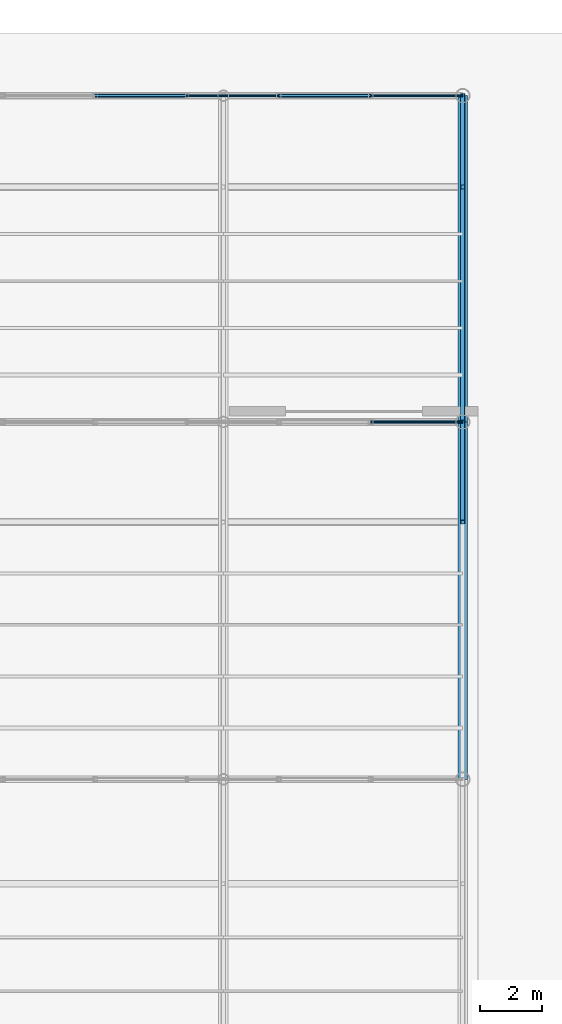
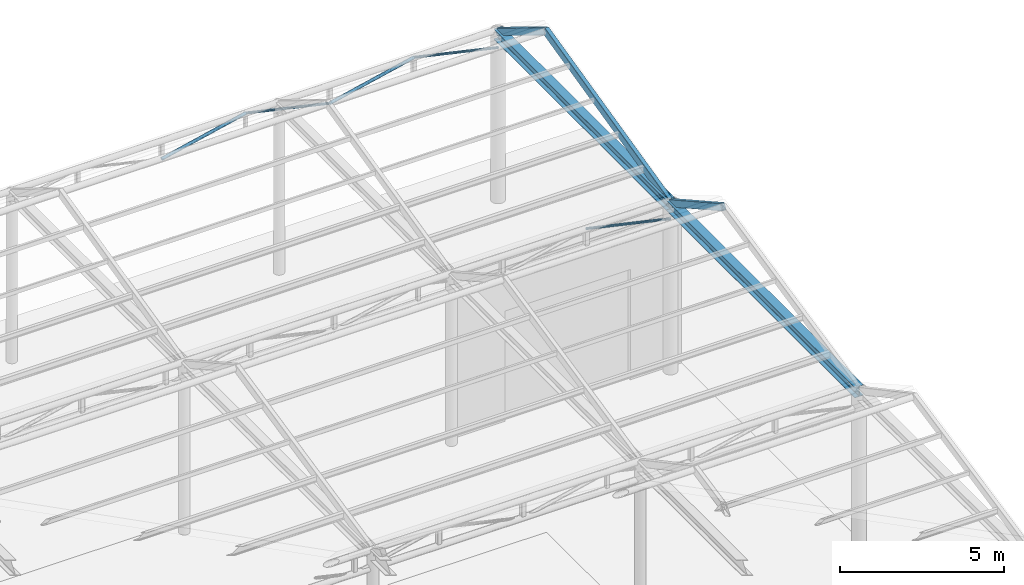
# One storey, part 50 of 118: 8 members, 2 beams.
"""IFC4 building model written with IfcOpenShell, lengths in metres."""

from ifc_helpers import new_model, si_unit, direction, frame, origin, origin_2d, place, context, subcontext, project, spatial, hollow_rectangle, hollow_circle, i_section, extrude, material, material_profile, profile_set, type_object, element, save


model = new_model("IFC4")

# Units and contexts
model_context = context("Model", 3, precision=1e-05, world=origin(), true_north=direction((0.0, 1.0)))
body_context = subcontext(model_context, "Body", "Model", "MODEL_VIEW")
ifc_project = project(units=[si_unit("LENGTHUNIT", "METRE"), si_unit("AREAUNIT", "SQUARE_METRE"), si_unit("VOLUMEUNIT", "CUBIC_METRE"), si_unit("PLANEANGLEUNIT", "RADIAN"), si_unit("MASSUNIT", "GRAM", prefix="KILO")], contexts=[model_context])

# Site, building, storey
site_placement = place(None, origin())
site = spatial("IfcSite", under=ifc_project, at=site_placement, CompositionType="ELEMENT")
building_placement = place(site_placement, origin())
building = spatial("IfcBuilding", under=site, at=building_placement, Name="Kolvaren Corner Interchange", CompositionType="ELEMENT")
storey_placement = place(building_placement, origin())
storey = spatial("IfcBuildingStorey", under=building, at=storey_placement, Name="L01", CompositionType="ELEMENT", Elevation=0.0)

# Beams
ifc_material_1 = material(Name="Steel S355", Category="steel")
ifc_material_profile_1 = material_profile(ifc_material_1, i_section(OverallWidth=0.300048828125, OverallDepth=0.389892578125, WebThickness=0.010986328125, FlangeThickness=0.01904296875, FilletRadius=0.027099609375, at=origin_2d()), Name="HEA 400")
ifc_profile_set_1 = profile_set([ifc_material_profile_1], Name="Steel S355")
beam_type = type_object("IfcBeamType", Name="BM-HEA400", PredefinedType="BEAM", material=ifc_profile_set_1)
beam_1_placement = place(storey_placement, frame((163.5, 90.0, 6.199951171875), z_axis=(0.0, 1.0, 0.0), x_axis=(-1.0, 0.0, 0.0)))
element("IfcBeam", 1, at=beam_1_placement, inside=storey, type_object=beam_type, Name="Bus Canopy Eaves Girder 023", PredefinedType="BEAM", context=body_context, shape_type="SweptSolid", body=[
    extrude(i_section(OverallWidth=0.300048828125, OverallDepth=0.389892578125, WebThickness=0.010986328125, FlangeThickness=0.01904296875, FilletRadius=0.027099609375, at=origin_2d()), origin(), (0.0, 0.0, 1.0), 11.5),
])
beam_2_placement = place(storey_placement, frame((163.5, 101.5, 6.199951171875), z_axis=(0.0, 1.0, 0.0), x_axis=(-1.0, 0.0, 0.0)))
element("IfcBeam", 2, at=beam_2_placement, inside=storey, type_object=beam_type, Name="Bus Canopy Eaves Girder 024", PredefinedType="BEAM", context=body_context, shape_type="SweptSolid", body=[
    extrude(i_section(OverallWidth=0.300048828125, OverallDepth=0.389892578125, WebThickness=0.010986328125, FlangeThickness=0.01904296875, FilletRadius=0.027099609375, at=origin_2d()), origin(), (0.0, 0.0, 1.0), 10.5),
])

# Members
ifc_material_2 = material(Name="Steel S355", Category="steel")
ifc_material_profile_2 = material_profile(ifc_material_2, hollow_circle(Radius=0.05712890625, WallThickness=0.00634765625, at=origin_2d()), Name="CHS 114.3x6.3")
ifc_profile_set_2 = profile_set([ifc_material_profile_2], Name="Steel S355")
member_type_1 = type_object("IfcMemberType", Name="MEM-BR-CHS114", PredefinedType="BRACE", material=ifc_profile_set_2)
member_1_placement = place(storey_placement, frame((151.666748046875, 112.0, 5.64990234375), z_axis=(0.97528679841, 0.0, 0.220942664161), x_axis=(0.0, 1.0, 0.0)))
element("IfcMember", 3, at=member_1_placement, inside=storey, type_object=member_type_1, Name="Bus Canopy Sawtooth Roof Truss 07 Web Diagonal 09", PredefinedType="BRACE", context=body_context, shape_type="SweptSolid", body=[
    extrude(hollow_circle(Radius=0.05712890625, WallThickness=0.00634765625, at=origin_2d()), origin(), (0.0, 0.0, 1.0), 3.033203125),
])
member_2_placement = place(storey_placement, frame((157.583251953125, 112.0, 5.64990234375), z_axis=(0.975290727078, 0.0, 0.220925321491), x_axis=(0.0, 1.0, 0.0)))
element("IfcMember", 4, at=member_2_placement, inside=storey, type_object=member_type_1, Name="Bus Canopy Sawtooth Roof Truss 07 Web Diagonal 11", PredefinedType="BRACE", context=body_context, shape_type="SweptSolid", body=[
    extrude(hollow_circle(Radius=0.05712890625, WallThickness=0.00634765625, at=origin_2d()), origin(), (0.0, 0.0, 1.0), 3.033447265625),
])
ifc_material_3 = material(Name="Steel S355", Category="steel")
ifc_material_profile_3 = material_profile(ifc_material_3, hollow_circle(Radius=0.04443359375, WallThickness=0.0048828125, at=origin_2d()), Name="CHS 88.9x5.0")
ifc_profile_set_3 = profile_set([ifc_material_profile_3], Name="Steel S355")
member_type_2 = type_object("IfcMemberType", Name="MEM-BR-CHS89", PredefinedType="BRACE", material=ifc_profile_set_3)
for number, where, z_axis, x_axis, name in (
    (5, (160.541748046875, 101.5, 6.320068359375), (0.97528679841, 0.0, -0.220942664161), (0.0, 1.0, 0.0), "Bus Canopy Sawtooth Roof Truss 06 Web Diagonal 12"),
    (6, (154.625, 112.0, 6.320068359375), (0.97528679841, 0.0, -0.220942664161), (0.0, 1.0, 0.0), "Bus Canopy Sawtooth Roof Truss 07 Web Diagonal 10"),
    (7, (160.541748046875, 112.0, 6.320068359375), (0.97528679841, 0.0, -0.220942664161), (0.0, 1.0, 0.0), "Bus Canopy Sawtooth Roof Truss 07 Web Diagonal 12"),
):
    element("IfcMember", number, at=place(storey_placement, frame(where, z_axis=z_axis, x_axis=x_axis)), inside=storey, type_object=member_type_2, Name=name, PredefinedType="BRACE", context=body_context, shape_type="SweptSolid", body=[
        extrude(hollow_circle(Radius=0.04443359375, WallThickness=0.0048828125, at=origin_2d()), origin(), (0.0, 0.0, 1.0), 3.033203125),
    ])
ifc_material_4 = material(Name="Steel S355", Category="steel")
ifc_material_profile_4 = material_profile(ifc_material_4, hollow_rectangle(XDim=0.14990234375, YDim=0.25, WallThickness=0.010009765625, InnerFilletRadius=0.010009765625, OuterFilletRadius=0.02001953125, at=origin_2d()), Name="RHS 250x150x10.0")
ifc_profile_set_4 = profile_set([ifc_material_profile_4], Name="Steel S355")
member_type_3 = type_object("IfcMemberType", Name="MEM-RF-RHS250", PredefinedType="RAFTER", material=ifc_profile_set_4)
member_3_placement = place(storey_placement, frame((163.5, 98.280029296875, 8.050048828125), z_axis=(0.0, 0.872868041349, -0.487956332464), x_axis=(-1.0, 0.0, 0.0)))
element("IfcMember", 8, at=member_3_placement, inside=storey, type_object=member_type_3, Name="Bus Canopy Sawtooth North Rafter 05 Line 5", PredefinedType="RAFTER", context=body_context, shape_type="SweptSolid", body=[
    extrude(hollow_rectangle(XDim=0.14990234375, YDim=0.25, WallThickness=0.010009765625, InnerFilletRadius=0.010009765625, OuterFilletRadius=0.02001953125, at=origin_2d()), origin(), (0.0, 0.0, 1.0), 3.68896484375),
])
member_4_placement = place(storey_placement, frame((163.5, 109.06005859375, 8.050048828125), z_axis=(0.0, 0.852840361963, -0.522171731336), x_axis=(-1.0, 0.0, 0.0)))
element("IfcMember", 9, at=member_4_placement, inside=storey, type_object=member_type_3, Name="Bus Canopy Sawtooth North Rafter 06 Line 5", PredefinedType="RAFTER", context=body_context, shape_type="SweptSolid", body=[
    extrude(hollow_rectangle(XDim=0.14990234375, YDim=0.25, WallThickness=0.010009765625, InnerFilletRadius=0.010009765625, OuterFilletRadius=0.02001953125, at=origin_2d()), origin(), (0.0, 0.0, 1.0), 3.447265625),
])
ifc_material_5 = material(Name="Steel S355", Category="steel")
ifc_material_profile_5 = material_profile(ifc_material_5, hollow_rectangle(XDim=0.14990234375, YDim=0.300048828125, WallThickness=0.010009765625, InnerFilletRadius=0.010009765625, OuterFilletRadius=0.02001953125, at=origin_2d()), Name="RHS 300x150x10.0")
ifc_profile_set_5 = profile_set([ifc_material_profile_5], Name="Steel S355")
member_type_4 = type_object("IfcMemberType", Name="MEM-RF-RHS300", PredefinedType="RAFTER", material=ifc_profile_set_5)
member_5_placement = place(storey_placement, frame((163.5, 101.5, 6.25), z_axis=(0.0, 0.972805203455, 0.231624774432), x_axis=(-1.0, 0.0, 0.0)))
element("IfcMember", 10, at=member_5_placement, inside=storey, type_object=member_type_4, Name="Bus Canopy Sawtooth South Rafter 06 Line 5", PredefinedType="RAFTER", context=body_context, shape_type="SweptSolid", body=[
    extrude(hollow_rectangle(XDim=0.14990234375, YDim=0.300048828125, WallThickness=0.010009765625, InnerFilletRadius=0.010009765625, OuterFilletRadius=0.02001953125, at=origin_2d()), origin(), (0.0, 0.0, 1.0), 7.771484375),
])

save(model, "model.ifc")
